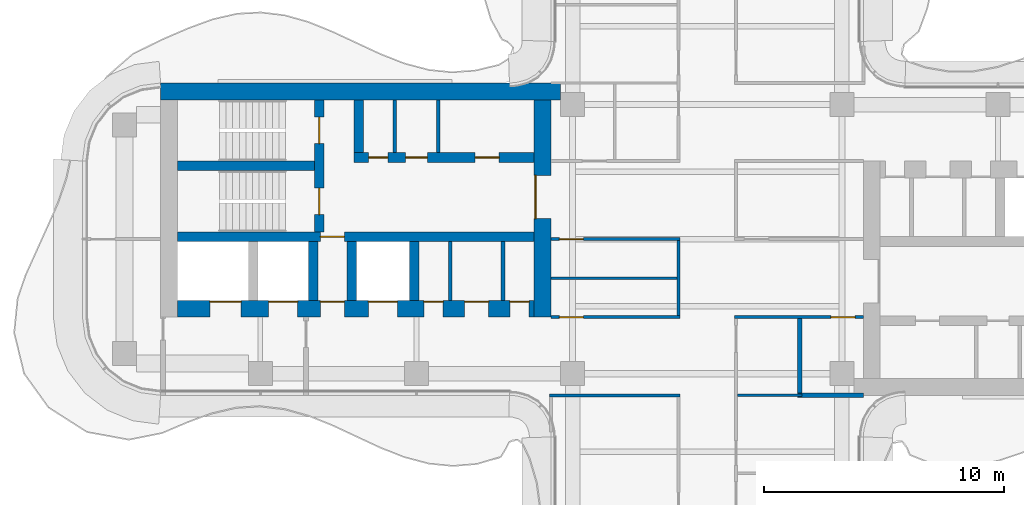
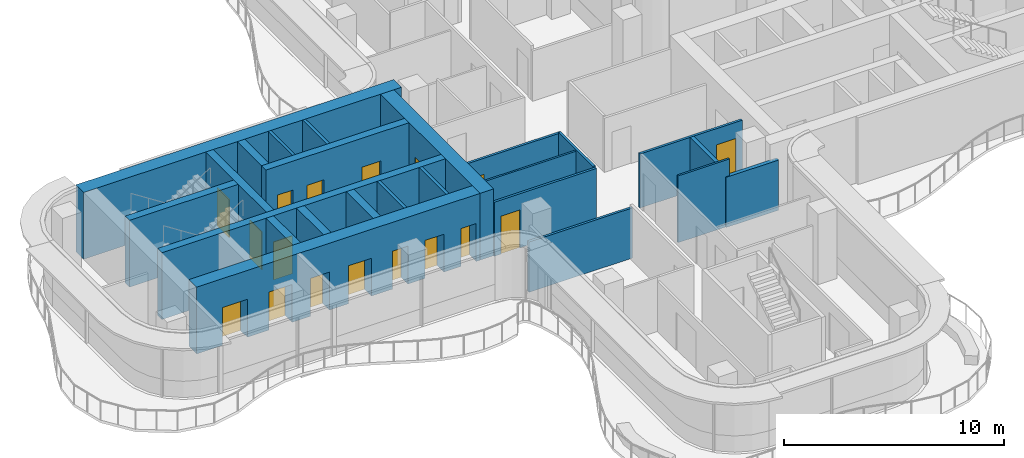
# One storey, part 12 of 17: 24 walls, 17 doors, 17 openings.
"""IFC4 building model written with IfcOpenShell, lengths in metres."""

import ifcopenshell
import ifcopenshell.guid

model = None  # the IFC model being written
_history = None  # IfcOwnerHistory: only IFC2X3 demands one
_inside = {}  # id of a spatial element -> (the spatial element, [elements in it])
_under = {}  # id of a project, library or spatial element -> (it, [spatial elements below it])
_declared = {}  # id of a project -> (the project, [libraries it declares])
_typed = {}  # id of a type object -> (the type object, [elements of that type])
_made_of = {}  # id of a material, layer set ... -> (it, [elements and type objects made of it])


def new_model(schema):
    """Start an empty IFC model of exactly this schema.

    Asked for "IFC4X3", IfcOpenShell would pick the latest addendum, in which some entities
    have other attributes; the version numbers below select the first issue.
    IFC2X3 requires an IfcOwnerHistory on every rooted entity: one is made here for all.
    """
    global model, _history
    if schema == "IFC4X3":
        model = ifcopenshell.file(schema_version=(4, 3, 0, 0))
    else:
        model = ifcopenshell.file(schema=schema)
    _inside.clear()
    _under.clear()
    _declared.clear()
    _typed.clear()
    _made_of.clear()
    _history = None
    if model.schema == "IFC2X3":
        org = make("IfcOrganization", Name="unknown")
        user = make(
            "IfcPersonAndOrganization",
            ThePerson=make("IfcPerson", FamilyName="unknown"),
            TheOrganization=org,
        )
        app = make(
            "IfcApplication",
            ApplicationDeveloper=org,
            Version="unknown",
            ApplicationFullName="unknown",
            ApplicationIdentifier="unknown",
        )
        _history = make(
            "IfcOwnerHistory",
            OwningUser=user,
            OwningApplication=app,
            ChangeAction="ADDED",
            CreationDate=0,
        )
    return model


def make(cls, **values):
    """One entity of the class cls with the attributes given. An attribute that is None is left unset."""
    return model.create_entity(
        cls, **{name: value for name, value in values.items() if value is not None}
    )


def rooted(cls, **values):
    """An entity with a GlobalId (a new one), such as an element, a storey or a relation."""
    return make(cls, GlobalId=ifcopenshell.guid.new(), OwnerHistory=_history, **values)


def si_unit(unit_type, name, prefix=None):
    """IfcSIUnit, for example si_unit("LENGTHUNIT", "METRE", prefix="MILLI")."""
    return make("IfcSIUnit", UnitType=unit_type, Prefix=prefix, Name=name)


def assignment(units):
    """IfcUnitAssignment: the units of a project."""
    return None if units is None else make("IfcUnitAssignment", Units=units)


def point(xyz):
    """IfcCartesianPoint."""
    return None if xyz is None else make("IfcCartesianPoint", Coordinates=xyz)


def direction(xyz):
    """IfcDirection."""
    return None if xyz is None else make("IfcDirection", DirectionRatios=xyz)


def frame(location, z_axis=None, x_axis=None):
    """IfcAxis2Placement3D, a coordinate frame: its origin and axes. An axis left out is left unset."""
    return make(
        "IfcAxis2Placement3D",
        Location=point(location),
        Axis=direction(z_axis),
        RefDirection=direction(x_axis),
    )


def frame_2d(location, x_axis=None):
    """IfcAxis2Placement2D, a coordinate frame in the plane: its origin and x axis."""
    return make(
        "IfcAxis2Placement2D", Location=point(location), RefDirection=direction(x_axis)
    )


def origin():
    """The frame at (0, 0, 0) with its axes left unset."""
    return frame((0.0, 0.0, 0.0))


def place(relative_to, where):
    """IfcLocalPlacement: puts the frame where relative to a parent placement (None: the world)."""
    return make(
        "IfcLocalPlacement", PlacementRelTo=relative_to, RelativePlacement=where
    )


def context(
    kind, dimensions, precision=None, world=None, true_north=None, identifier=None
):
    """IfcGeometricRepresentationContext, for example the 3D "Model" context."""
    return make(
        "IfcGeometricRepresentationContext",
        ContextIdentifier=identifier,
        ContextType=kind,
        CoordinateSpaceDimension=dimensions,
        Precision=precision,
        WorldCoordinateSystem=world,
        TrueNorth=true_north,
    )


def subcontext(parent, identifier, kind, view, scale=None):
    """IfcGeometricRepresentationSubContext, for example "Body" below "Model"."""
    return make(
        "IfcGeometricRepresentationSubContext",
        ContextIdentifier=identifier,
        ContextType=kind,
        ParentContext=parent,
        TargetScale=scale,
        TargetView=view,
    )


def project(units=None, contexts=None):
    """IfcProject with its units and contexts."""
    return rooted(
        "IfcProject",
        Name="project",
        RepresentationContexts=contexts,
        UnitsInContext=assignment(units),
    )


def spatial(cls, under=None, at=None, **own):
    """A site, building, storey or space (cls), placed at a placement, below another one or the project."""
    s = rooted(cls, ObjectPlacement=at, **own)
    if under is not None:
        _under.setdefault(under.id(), (under, []))[1].append(s)
    return s


def profile(cls, at=None, kind="AREA", **sizes):
    """A parametric profile (cls). Its sizes go by their IFC names, for example OverallWidth=200.0."""
    return make(cls, ProfileType=kind, Position=at, **sizes)


def rectangle(**sizes):
    """IfcRectangleProfileDef."""
    return profile("IfcRectangleProfileDef", **sizes)


def extrude(swept, where, along, depth):
    """IfcExtrudedAreaSolid: the profile swept, set in the frame where, extruded along a direction by depth."""
    return make(
        "IfcExtrudedAreaSolid",
        SweptArea=swept,
        Position=where,
        ExtrudedDirection=direction(along),
        Depth=depth,
    )


def shape(context_of_items, identifier, shape_type, items):
    """IfcShapeRepresentation: the items that make up one representation, for example the "Body"."""
    return make(
        "IfcShapeRepresentation",
        ContextOfItems=context_of_items,
        RepresentationIdentifier=identifier,
        RepresentationType=shape_type,
        Items=items,
    )


def source(mapping_origin, context_of_items, identifier, shape_type, items):
    """IfcRepresentationMap: a shape defined once, which mapped items show again and again."""
    return make(
        "IfcRepresentationMap",
        MappingOrigin=mapping_origin,
        MappedRepresentation=shape(context_of_items, identifier, shape_type, items),
    )


def transform(
    local_origin,
    x_axis=None,
    y_axis=None,
    z_axis=None,
    scale=None,
    scale2=None,
    scale3=None,
    uniform=True,
):
    """IfcCartesianTransformationOperator3D, or its non-uniform kind. x_axis, y_axis, z_axis: its Axis1, 2, 3."""
    if uniform:
        return make(
            "IfcCartesianTransformationOperator3D",
            Axis1=direction(x_axis),
            Axis2=direction(y_axis),
            LocalOrigin=point(local_origin),
            Scale=scale,
            Axis3=direction(z_axis),
        )
    return make(
        "IfcCartesianTransformationOperator3DnonUniform",
        Axis1=direction(x_axis),
        Axis2=direction(y_axis),
        LocalOrigin=point(local_origin),
        Scale=scale,
        Axis3=direction(z_axis),
        Scale2=scale2,
        Scale3=scale3,
    )


def mapped(mapping_source, mapping_target):
    """IfcMappedItem: shows the shape of a source again, moved by a transform."""
    return make(
        "IfcMappedItem", MappingSource=mapping_source, MappingTarget=mapping_target
    )


def material(Name=None, Category=None):
    """IfcMaterial."""
    return make("IfcMaterial", Name=Name, Category=Category)


def layer(
    of_material, thickness, ventilated=None, Name=None, Category=None, Priority=None
):
    """IfcMaterialLayer: one layer of a wall or slab, of a material (None: an air gap)."""
    return make(
        "IfcMaterialLayer",
        Material=of_material,
        LayerThickness=thickness,
        IsVentilated=ventilated,
        Name=Name,
        Category=Category,
        Priority=Priority,
    )


def layer_set(layers, Name=None):
    """IfcMaterialLayerSet."""
    return make("IfcMaterialLayerSet", MaterialLayers=layers, LayerSetName=Name)


def made_of(thing, what):
    """Note that an element or type object is made of a material, layer set ...; save() writes the relation."""
    if what is not None:
        _made_of.setdefault(what.id(), (what, []))[1].append(thing)
    return thing


def type_object(cls, material=None, **own):
    """A type object (cls), such as IfcWallType, which elements share."""
    return made_of(rooted(cls, **own), material)


def element(
    cls,
    number,
    at=None,
    inside=None,
    cuts=None,
    type_object=None,
    material=None,
    context=None,
    identifier="Body",
    shape_type=None,
    held_by="IfcProductDefinitionShape",
    body=None,
    shapes=None,
    **own,
):
    """One element of the class cls, such as IfcWall. Its Tag is "e" and its number.

    at: its placement. inside: the storey or other place that contains it. cuts: it is an
    opening in that element (IfcRelVoidsElement). A single representation is given by context,
    identifier, shape_type and body (its items); several are given by shapes. held_by: the class
    of the entity that holds the representations. save() writes the other relations.
    """
    e = rooted(cls, Tag="e%d" % number, ObjectPlacement=at, **own)
    if body is not None:
        shapes = [shape(context, identifier, shape_type, body)]
    if shapes is not None:
        e.Representation = make(held_by, Representations=shapes)
    if inside is not None:
        _inside.setdefault(inside.id(), (inside, []))[1].append(e)
    if cuts is not None:
        rooted(
            "IfcRelVoidsElement", RelatingBuildingElement=cuts, RelatedOpeningElement=e
        )
    if type_object is not None:
        _typed.setdefault(type_object.id(), (type_object, []))[1].append(e)
    return made_of(e, material)


def fill(opening, filler):
    """IfcRelFillsElement: the door or window that sits in an opening."""
    return rooted(
        "IfcRelFillsElement",
        RelatingOpeningElement=opening,
        RelatedBuildingElement=filler,
    )


def aggregate(whole, parts):
    """IfcRelAggregates: a whole, such as a stair, and the parts it consists of."""
    return rooted("IfcRelAggregates", RelatingObject=whole, RelatedObjects=parts)


def save(model, path):
    """Write the relations noted so far, then the file.

    IfcRelAggregates (storeys below a building ...), IfcRelContainedInSpatialStructure (elements
    in a storey), IfcRelDefinesByType, IfcRelAssociatesMaterial and IfcRelDeclares: one each for
    every whole, place, type object, material and project.
    """
    for whole, parts in _under.values():
        aggregate(whole, parts)
    for where, things in _inside.values():
        rooted(
            "IfcRelContainedInSpatialStructure",
            RelatedElements=things,
            RelatingStructure=where,
        )
    for kind, things in _typed.values():
        rooted("IfcRelDefinesByType", RelatedObjects=things, RelatingType=kind)
    for what, things in _made_of.values():
        rooted("IfcRelAssociatesMaterial", RelatedObjects=things, RelatingMaterial=what)
    for by, libraries in _declared.values():
        rooted("IfcRelDeclares", RelatingContext=by, RelatedDefinitions=libraries)
    model.write(path)


model = new_model("IFC4")

# Units and contexts
model_context = context("Model", 3, precision=1e-05, world=origin(), true_north=direction((0.0, 1.0)))
body_context = subcontext(model_context, "Body", "Model", "MODEL_VIEW")
ifc_project = project(units=[si_unit("LENGTHUNIT", "METRE"), si_unit("AREAUNIT", "SQUARE_METRE"), si_unit("VOLUMEUNIT", "CUBIC_METRE"), si_unit("PLANEANGLEUNIT", "RADIAN"), si_unit("MASSUNIT", "GRAM", prefix="KILO")], contexts=[model_context])

# Site, building, storey
site_placement = place(None, origin())
site = spatial("IfcSite", under=ifc_project, at=site_placement, CompositionType="ELEMENT")
building_placement = place(site_placement, origin())
building = spatial("IfcBuilding", under=site, at=building_placement, Name="Trellis Farm Tower", CompositionType="ELEMENT")
storey_placement = place(building_placement, frame((0.0, 0.0, 295.0)))
storey = spatial("IfcBuildingStorey", under=building, at=storey_placement, Name="L66", CompositionType="ELEMENT", Elevation=295.0)

# Wall, opening, door
ifc_material_1 = material(Name="Concrete C50/60", Category="concrete")
ifc_layer_1 = layer(ifc_material_1, 0.699951171875)
ifc_layer_set_1 = layer_set([ifc_layer_1], Name="CORE OUTER WALL 700 CONCRETE C50/60")
wall_type_1 = type_object("IfcWallType", Name="CORE OUTER WALL 700 CONCRETE C50/60", PredefinedType="SHEAR", material=ifc_layer_set_1)
shared_shape_1 = source(origin(), body_context, "Body", "SweptSolid", [
    extrude(rectangle(XDim=9.050048828125, YDim=0.699951171875, at=frame_2d((4.52490234375, 0.0))), origin(), (0.0, 0.0, 1.0), 3.699951171875),
])
wall_1_placement = place(storey_placement, frame((-6.85009765625, 5.800048828125, 0.0), z_axis=(0.0, 0.0, 1.0), x_axis=(0.0, -1.0, 0.0)))
wall_1 = element("IfcWall", 1, at=wall_1_placement, inside=storey, type_object=wall_type_1, Name="Core wall", PredefinedType="SHEAR", context=body_context, shape_type="MappedRepresentation", body=[
    mapped(shared_shape_1, transform((0.0, 0.0, 0.0))),
])
shared_shape_2 = source(origin(), body_context, "Body", "SweptSolid", [
    extrude(rectangle(XDim=1.800048828125, YDim=2.10009765625, at=frame_2d((0.89990234375, 1.050048828125))), frame((0.0, 0.360107421875, 0.0), z_axis=(0.0, -1.0, 0.0), x_axis=(1.0, 0.0, 0.0)), (0.0, 0.0, 1.0), 0.72021484375),
])
opening_1_placement = place(wall_1_placement, frame((3.14990234375, 0.0, 0.0)))
opening_1 = element("IfcOpeningElement", 2, at=opening_1_placement, cuts=wall_1, Name="Opening DC87", PredefinedType="OPENING", context=body_context, shape_type="MappedRepresentation", body=[
    mapped(shared_shape_2, transform((0.0, 0.0, 0.0))),
])
ifc_material_2 = material(Name="Steel", Category="steel")
door_type_1 = type_object("IfcDoorType", Name="CORE FIRE DOOR DOUBLE 1800 X 2100", OperationType="DOUBLE_DOOR_SINGLE_SWING", PredefinedType="DOOR", material=ifc_material_2)
shared_shape_3 = source(origin(), body_context, "Body", "SweptSolid", [
    extrude(rectangle(XDim=1.800048828125, YDim=2.10009765625, at=frame_2d((0.89990234375, 1.050048828125))), frame((0.0, -0.27490234375, 0.0), z_axis=(0.0, -1.0, 0.0), x_axis=(1.0, 0.0, 0.0)), (0.0, 0.0, 1.0), 0.050048828125),
])
door_1_placement = place(opening_1_placement, origin())
door_1 = element("IfcDoor", 3, at=door_1_placement, inside=storey, type_object=door_type_1, Name="Core door", OperationType="DOUBLE_DOOR_SINGLE_SWING", OverallHeight=2.10009765625, OverallWidth=1.800048828125, PredefinedType="DOOR", context=body_context, shape_type="MappedRepresentation", body=[
    mapped(shared_shape_3, transform((0.0, 0.0, 0.0))),
])
fill(opening_1, door_1)

# Walls
ifc_layer_2 = layer(ifc_material_1, 0.39990234375)
ifc_layer_set_2 = layer_set([ifc_layer_2], Name="CORE INNER WALL 400 CONCRETE C50/60")
wall_type_2 = type_object("IfcWallType", Name="CORE INNER WALL 400 CONCRETE C50/60", PredefinedType="SHEAR", material=ifc_layer_set_2)
shared_shape_4 = source(origin(), body_context, "Body", "SweptSolid", [
    extrude(rectangle(XDim=2.449951171875, YDim=0.39990234375, at=frame_2d((1.22509765625, 0.0))), origin(), (0.0, 0.0, 1.0), 3.699951171875),
])
for number, where, z_axis, x_axis, name in (
    (4, (-12.199951171875, -0.10009765625, 0.0), (0.0, 0.0, 1.0), (0.0, -1.0, 0.0), "Core wall"),
    (5, (-14.800048828125, -0.10009765625, 0.0), (0.0, 0.0, 1.0), (0.0, -1.0, 0.0), "Core wall"),
    (6, (-16.39990234375, -0.10009765625, 0.0), (0.0, 0.0, 1.0), (0.0, -1.0, 0.0), "Core wall"),
):
    element("IfcWall", number, at=place(storey_placement, frame(where, z_axis=z_axis, x_axis=x_axis)), inside=storey, type_object=wall_type_2, Name=name, PredefinedType="SHEAR", context=body_context, shape_type="MappedRepresentation", body=[
        mapped(shared_shape_4, transform((0.0, 0.0, 0.0))),
    ])

# Wall, openings, doors
shared_shape_5 = source(origin(), body_context, "Body", "SweptSolid", [
    extrude(rectangle(XDim=14.85009765625, YDim=0.699951171875, at=frame_2d((7.425048828125, 0.0))), origin(), (0.0, 0.0, 1.0), 3.699951171875),
])
wall_2_placement = place(storey_placement, frame((-7.199951171875, -2.89990234375, 0.0), z_axis=(0.0, 0.0, 1.0), x_axis=(-1.0, 0.0, 0.0)))
wall_2 = element("IfcWall", 7, at=wall_2_placement, inside=storey, type_object=wall_type_1, Name="Core wall", PredefinedType="SHEAR", context=body_context, shape_type="MappedRepresentation", body=[
    mapped(shared_shape_5, transform((0.0, 0.0, 0.0))),
])
shared_shape_6 = source(origin(), body_context, "Body", "SweptSolid", [
    extrude(rectangle(XDim=1.199951171875, YDim=2.10009765625, at=frame_2d((0.60009765625, 1.050048828125))), frame((0.0, 0.360107421875, 0.0), z_axis=(0.0, -1.0, 0.0), x_axis=(1.0, 0.0, 0.0)), (0.0, 0.0, 1.0), 0.72021484375),
])
opening_2_placement = place(wall_2_placement, frame((5.699951171875, 0.0, 0.0)))
opening_2 = element("IfcOpeningElement", 8, at=opening_2_placement, cuts=wall_2, Name="Opening LD14", PredefinedType="OPENING", context=body_context, shape_type="MappedRepresentation", body=[
    mapped(shared_shape_6, transform((0.0, 0.0, 0.0))),
])
shared_shape_7 = source(origin(), body_context, "Body", "SweptSolid", [
    extrude(rectangle(XDim=1.300048828125, YDim=2.10009765625, at=frame_2d((0.64990234375, 1.050048828125))), frame((0.0, 0.360107421875, 0.0), z_axis=(0.0, -1.0, 0.0), x_axis=(1.0, 0.0, 0.0)), (0.0, 0.0, 1.0), 0.72021484375),
])
opening_3_placement = place(wall_2_placement, frame((12.199951171875, 0.0, 0.0)))
opening_3 = element("IfcOpeningElement", 9, at=opening_3_placement, cuts=wall_2, Name="Opening LD15", PredefinedType="OPENING", context=body_context, shape_type="MappedRepresentation", body=[
    mapped(shared_shape_7, transform((0.0, 0.0, 0.0))),
])
opening_4_placement = place(wall_2_placement, frame((9.85009765625, 0.0, 0.0)))
opening_4 = element("IfcOpeningElement", 10, at=opening_4_placement, cuts=wall_2, Name="Opening LD16", PredefinedType="OPENING", context=body_context, shape_type="MappedRepresentation", body=[
    mapped(shared_shape_6, transform((0.0, 0.0, 0.0))),
])
shared_shape_8 = source(origin(), body_context, "Body", "SweptSolid", [
    extrude(rectangle(XDim=1.0, YDim=2.10009765625, at=frame_2d((0.5, 1.050048828125))), frame((0.0, 0.360107421875, 0.0), z_axis=(0.0, -1.0, 0.0), x_axis=(1.0, 0.0, 0.0)), (0.0, 0.0, 1.0), 0.72021484375),
])
opening_5_placement = place(wall_2_placement, frame((7.89990234375, 0.0, 0.0)))
opening_5 = element("IfcOpeningElement", 11, at=opening_5_placement, cuts=wall_2, Name="Opening DC92", PredefinedType="OPENING", context=body_context, shape_type="MappedRepresentation", body=[
    mapped(shared_shape_8, transform((0.0, 0.0, 0.0))),
])
shared_shape_9 = source(origin(), body_context, "Body", "SweptSolid", [
    extrude(rectangle(XDim=0.800048828125, YDim=2.10009765625, at=frame_2d((0.39990234375, 1.050048828125))), frame((0.0, 0.360107421875, 0.0), z_axis=(0.0, -1.0, 0.0), x_axis=(1.0, 0.0, 0.0)), (0.0, 0.0, 1.0), 0.72021484375),
])
opening_6_placement = place(wall_2_placement, frame((0.21240234375, 0.0, 0.0)))
opening_6 = element("IfcOpeningElement", 12, at=opening_6_placement, cuts=wall_2, Name="Opening DC96", PredefinedType="OPENING", context=body_context, shape_type="MappedRepresentation", body=[
    mapped(shared_shape_9, transform((0.0, 0.0, 0.0))),
])
opening_7_placement = place(wall_2_placement, frame((1.89990234375, 0.0, 0.0)))
opening_7 = element("IfcOpeningElement", 13, at=opening_7_placement, cuts=wall_2, Name="Opening DC105", PredefinedType="OPENING", context=body_context, shape_type="MappedRepresentation", body=[
    mapped(shared_shape_8, transform((0.0, 0.0, 0.0))),
])
opening_8_placement = place(wall_2_placement, frame((3.78759765625, 0.0, 0.0)))
opening_8 = element("IfcOpeningElement", 14, at=opening_8_placement, cuts=wall_2, Name="Opening DC108", PredefinedType="OPENING", context=body_context, shape_type="MappedRepresentation", body=[
    mapped(shared_shape_9, transform((0.0, 0.0, 0.0))),
])
door_type_2 = type_object("IfcDoorType", Name="CORE FIRE DOOR 1000 X 2100", OperationType="NOTDEFINED", PredefinedType="DOOR", material=ifc_material_2)
shared_shape_10 = source(origin(), body_context, "Body", "SweptSolid", [
    extrude(rectangle(XDim=1.0, YDim=2.10009765625, at=frame_2d((0.5, 1.050048828125))), frame((0.0, -0.27490234375, 0.0), z_axis=(0.0, -1.0, 0.0), x_axis=(1.0, 0.0, 0.0)), (0.0, 0.0, 1.0), 0.050048828125),
])
door_2_placement = place(opening_5_placement, origin())
door_2 = element("IfcDoor", 15, at=door_2_placement, inside=storey, type_object=door_type_2, Name="Core door", OperationType="SINGLE_SWING_LEFT", OverallHeight=2.10009765625, OverallWidth=1.0, PredefinedType="DOOR", context=body_context, shape_type="MappedRepresentation", body=[
    mapped(shared_shape_10, transform((0.0, 0.0, 0.0))),
])
fill(opening_5, door_2)
door_3_placement = place(opening_7_placement, origin())
door_3 = element("IfcDoor", 16, at=door_3_placement, inside=storey, type_object=door_type_2, Name="Core door", OperationType="SINGLE_SWING_LEFT", OverallHeight=2.10009765625, OverallWidth=1.0, PredefinedType="DOOR", context=body_context, shape_type="MappedRepresentation", body=[
    mapped(shared_shape_10, transform((0.0, 0.0, 0.0))),
])
fill(opening_7, door_3)
ifc_material_3 = material(Name="Stainless steel", Category="steel")
door_type_3 = type_object("IfcDoorType", Name="LIFT LANDING DOOR 1300 X 2100", OperationType="DOUBLE_DOOR_SLIDING", PredefinedType="DOOR", material=ifc_material_3)
shared_shape_11 = source(origin(), body_context, "Body", "SweptSolid", [
    extrude(rectangle(XDim=1.300048828125, YDim=2.10009765625, at=frame_2d((0.64990234375, 1.050048828125))), frame((0.0, -0.27490234375, 0.0), z_axis=(0.0, -1.0, 0.0), x_axis=(1.0, 0.0, 0.0)), (0.0, 0.0, 1.0), 0.050048828125),
])
door_4_placement = place(opening_3_placement, origin())
door_4 = element("IfcDoor", 17, at=door_4_placement, inside=storey, type_object=door_type_3, Name="Lift landing door", OperationType="DOUBLE_DOOR_SLIDING", OverallHeight=2.10009765625, OverallWidth=1.300048828125, PredefinedType="DOOR", context=body_context, shape_type="MappedRepresentation", body=[
    mapped(shared_shape_11, transform((0.0, 0.0, 0.0))),
])
fill(opening_3, door_4)
door_type_4 = type_object("IfcDoorType", Name="LIFT LANDING DOOR 1200 X 2100", OperationType="DOUBLE_DOOR_SLIDING", PredefinedType="DOOR", material=ifc_material_3)
shared_shape_12 = source(origin(), body_context, "Body", "SweptSolid", [
    extrude(rectangle(XDim=1.199951171875, YDim=2.10009765625, at=frame_2d((0.60009765625, 1.050048828125))), frame((0.0, -0.27490234375, 0.0), z_axis=(0.0, -1.0, 0.0), x_axis=(1.0, 0.0, 0.0)), (0.0, 0.0, 1.0), 0.050048828125),
])
door_5_placement = place(opening_2_placement, origin())
door_5 = element("IfcDoor", 18, at=door_5_placement, inside=storey, type_object=door_type_4, Name="Lift landing door", OperationType="DOUBLE_DOOR_SLIDING", OverallHeight=2.10009765625, OverallWidth=1.199951171875, PredefinedType="DOOR", context=body_context, shape_type="MappedRepresentation", body=[
    mapped(shared_shape_12, transform((0.0, 0.0, 0.0))),
])
fill(opening_2, door_5)
door_6_placement = place(opening_4_placement, origin())
door_6 = element("IfcDoor", 19, at=door_6_placement, inside=storey, type_object=door_type_4, Name="Lift landing door", OperationType="DOUBLE_DOOR_SLIDING", OverallHeight=2.10009765625, OverallWidth=1.199951171875, PredefinedType="DOOR", context=body_context, shape_type="MappedRepresentation", body=[
    mapped(shared_shape_12, transform((0.0, 0.0, 0.0))),
])
fill(opening_4, door_6)
door_type_5 = type_object("IfcDoorType", Name="CORE FIRE DOOR 800 X 2100", OperationType="NOTDEFINED", PredefinedType="DOOR", material=ifc_material_2)
shared_shape_13 = source(origin(), body_context, "Body", "SweptSolid", [
    extrude(rectangle(XDim=0.800048828125, YDim=2.10009765625, at=frame_2d((0.39990234375, 1.050048828125))), frame((0.0, -0.27490234375, 0.0), z_axis=(0.0, -1.0, 0.0), x_axis=(1.0, 0.0, 0.0)), (0.0, 0.0, 1.0), 0.050048828125),
])
door_7_placement = place(opening_6_placement, origin())
door_7 = element("IfcDoor", 20, at=door_7_placement, inside=storey, type_object=door_type_5, Name="Core door", OperationType="SINGLE_SWING_RIGHT", OverallHeight=2.10009765625, OverallWidth=0.800048828125, PredefinedType="DOOR", context=body_context, shape_type="MappedRepresentation", body=[
    mapped(shared_shape_13, transform((0.0, 0.0, 0.0))),
])
fill(opening_6, door_7)
door_8_placement = place(opening_8_placement, origin())
door_8 = element("IfcDoor", 21, at=door_8_placement, inside=storey, type_object=door_type_5, Name="Core door", OperationType="SINGLE_SWING_RIGHT", OverallHeight=2.10009765625, OverallWidth=0.800048828125, PredefinedType="DOOR", context=body_context, shape_type="MappedRepresentation", body=[
    mapped(shared_shape_13, transform((0.0, 0.0, 0.0))),
])
fill(opening_8, door_8)

shared_shape_14 = source(origin(), body_context, "Body", "SweptSolid", [
    extrude(rectangle(XDim=7.5, YDim=0.39990234375, at=frame_2d((3.75, 0.0))), origin(), (0.0, 0.0, 1.0), 3.699951171875),
])
wall_3_placement = place(storey_placement, frame((-7.199951171875, 3.39990234375, 0.0), z_axis=(0.0, 0.0, 1.0), x_axis=(-1.0, 0.0, 0.0)))
wall_3 = element("IfcWall", 22, at=wall_3_placement, inside=storey, type_object=wall_type_2, Name="Core wall", PredefinedType="SHEAR", context=body_context, shape_type="MappedRepresentation", body=[
    mapped(shared_shape_14, transform((0.0, 0.0, 0.0))),
])
shared_shape_15 = source(origin(), body_context, "Body", "SweptSolid", [
    extrude(rectangle(XDim=1.0, YDim=2.10009765625, at=frame_2d((0.5, 1.050048828125))), frame((0.0, 0.2099609375, 0.0), z_axis=(0.0, -1.0, 0.0), x_axis=(1.0, 0.0, 0.0)), (0.0, 0.0, 1.0), 0.419921875),
])
opening_9_placement = place(wall_3_placement, frame((1.46240234375, 0.0, 0.0)))
opening_9 = element("IfcOpeningElement", 23, at=opening_9_placement, cuts=wall_3, Name="Opening DC141", PredefinedType="OPENING", context=body_context, shape_type="MappedRepresentation", body=[
    mapped(shared_shape_15, transform((0.0, 0.0, 0.0))),
])
shared_shape_16 = source(origin(), body_context, "Body", "SweptSolid", [
    extrude(rectangle(XDim=0.89990234375, YDim=2.10009765625, at=frame_2d((0.449951171875, 1.050048828125))), frame((0.0, 0.2099609375, 0.0), z_axis=(0.0, -1.0, 0.0), x_axis=(1.0, 0.0, 0.0)), (0.0, 0.0, 1.0), 0.419921875),
])
opening_10_placement = place(wall_3_placement, frame((4.449951171875, 0.0, 0.0)))
opening_10 = element("IfcOpeningElement", 24, at=opening_10_placement, cuts=wall_3, Name="Opening DC146", PredefinedType="OPENING", context=body_context, shape_type="MappedRepresentation", body=[
    mapped(shared_shape_16, transform((0.0, 0.0, 0.0))),
])
shared_shape_17 = source(origin(), body_context, "Body", "SweptSolid", [
    extrude(rectangle(XDim=0.800048828125, YDim=2.10009765625, at=frame_2d((0.39990234375, 1.050048828125))), frame((0.0, 0.2099609375, 0.0), z_axis=(0.0, -1.0, 0.0), x_axis=(1.0, 0.0, 0.0)), (0.0, 0.0, 1.0), 0.419921875),
])
opening_11_placement = place(wall_3_placement, frame((6.08740234375, 0.0, 0.0)))
opening_11 = element("IfcOpeningElement", 25, at=opening_11_placement, cuts=wall_3, Name="Opening DC149", PredefinedType="OPENING", context=body_context, shape_type="MappedRepresentation", body=[
    mapped(shared_shape_17, transform((0.0, 0.0, 0.0))),
])
shared_shape_18 = source(origin(), body_context, "Body", "SweptSolid", [
    extrude(rectangle(XDim=1.0, YDim=2.10009765625, at=frame_2d((0.5, 1.050048828125))), frame((0.0, 0.02490234375, 0.0), z_axis=(0.0, -1.0, 0.0), x_axis=(1.0, 0.0, 0.0)), (0.0, 0.0, 1.0), 0.050048828125),
])
door_9_placement = place(opening_9_placement, origin())
door_9 = element("IfcDoor", 26, at=door_9_placement, inside=storey, type_object=door_type_2, Name="Core door", OperationType="SINGLE_SWING_LEFT", OverallHeight=2.10009765625, OverallWidth=1.0, PredefinedType="DOOR", context=body_context, shape_type="MappedRepresentation", body=[
    mapped(shared_shape_18, transform((0.0, 0.0, 0.0))),
])
fill(opening_9, door_9)
door_type_6 = type_object("IfcDoorType", Name="CORE FIRE DOOR 900 X 2100", OperationType="NOTDEFINED", PredefinedType="DOOR", material=ifc_material_2)
shared_shape_19 = source(origin(), body_context, "Body", "SweptSolid", [
    extrude(rectangle(XDim=0.89990234375, YDim=2.10009765625, at=frame_2d((0.449951171875, 1.050048828125))), frame((0.0, 0.02490234375, 0.0), z_axis=(0.0, -1.0, 0.0), x_axis=(1.0, 0.0, 0.0)), (0.0, 0.0, 1.0), 0.050048828125),
])
door_10_placement = place(opening_10_placement, origin())
door_10 = element("IfcDoor", 27, at=door_10_placement, inside=storey, type_object=door_type_6, Name="Core door", OperationType="SINGLE_SWING_RIGHT", OverallHeight=2.10009765625, OverallWidth=0.89990234375, PredefinedType="DOOR", context=body_context, shape_type="MappedRepresentation", body=[
    mapped(shared_shape_19, transform((0.0, 0.0, 0.0))),
])
fill(opening_10, door_10)
shared_shape_20 = source(origin(), body_context, "Body", "SweptSolid", [
    extrude(rectangle(XDim=0.800048828125, YDim=2.10009765625, at=frame_2d((0.39990234375, 1.050048828125))), frame((0.0, 0.02490234375, 0.0), z_axis=(0.0, -1.0, 0.0), x_axis=(1.0, 0.0, 0.0)), (0.0, 0.0, 1.0), 0.050048828125),
])
door_11_placement = place(opening_11_placement, origin())
door_11 = element("IfcDoor", 28, at=door_11_placement, inside=storey, type_object=door_type_5, Name="Core door", OperationType="SINGLE_SWING_LEFT", OverallHeight=2.10009765625, OverallWidth=0.800048828125, PredefinedType="DOOR", context=body_context, shape_type="MappedRepresentation", body=[
    mapped(shared_shape_20, transform((0.0, 0.0, 0.0))),
])
fill(opening_11, door_11)

# Wall, opening, door
shared_shape_21 = source(origin(), body_context, "Body", "SweptSolid", [
    extrude(rectangle(XDim=14.85009765625, YDim=0.39990234375, at=frame_2d((7.425048828125, 0.0))), origin(), (0.0, 0.0, 1.0), 3.699951171875),
])
wall_4_placement = place(storey_placement, frame((-7.199951171875, 0.10009765625, 0.0), z_axis=(0.0, 0.0, 1.0), x_axis=(-1.0, 0.0, 0.0)))
wall_4 = element("IfcWall", 29, at=wall_4_placement, inside=storey, type_object=wall_type_2, Name="Core wall", PredefinedType="SHEAR", context=body_context, shape_type="MappedRepresentation", body=[
    mapped(shared_shape_21, transform((0.0, 0.0, 0.0))),
])
opening_12_placement = place(wall_4_placement, frame((7.89990234375, 0.0, 0.0)))
opening_12 = element("IfcOpeningElement", 30, at=opening_12_placement, cuts=wall_4, Name="Opening DC91", PredefinedType="OPENING", context=body_context, shape_type="MappedRepresentation", body=[
    mapped(shared_shape_15, transform((0.0, 0.0, 0.0))),
])
door_12_placement = place(opening_12_placement, origin())
door_12 = element("IfcDoor", 31, at=door_12_placement, inside=storey, type_object=door_type_2, Name="Core door", OperationType="SINGLE_SWING_RIGHT", OverallHeight=2.10009765625, OverallWidth=1.0, PredefinedType="DOOR", context=body_context, shape_type="MappedRepresentation", body=[
    mapped(shared_shape_18, transform((0.0, 0.0, 0.0))),
])
fill(opening_12, door_12)

# Wall, openings, doors
shared_shape_22 = source(origin(), body_context, "Body", "SweptSolid", [
    extrude(rectangle(XDim=5.5, YDim=0.39990234375, at=frame_2d((2.75, 0.0))), origin(), (0.0, 0.0, 1.0), 3.699951171875),
])
wall_5_placement = place(storey_placement, frame((-16.14990234375, 5.800048828125, 0.0), z_axis=(0.0, 0.0, 1.0), x_axis=(0.0, -1.0, 0.0)))
wall_5 = element("IfcWall", 32, at=wall_5_placement, inside=storey, type_object=wall_type_2, Name="Core wall", PredefinedType="SHEAR", context=body_context, shape_type="MappedRepresentation", body=[
    mapped(shared_shape_22, transform((0.0, 0.0, 0.0))),
])
shared_shape_23 = source(origin(), body_context, "Body", "SweptSolid", [
    extrude(rectangle(XDim=1.10009765625, YDim=2.10009765625, at=frame_2d((0.550048828125, 1.050048828125))), frame((0.0, 0.2099609375, 0.0), z_axis=(0.0, -1.0, 0.0), x_axis=(1.0, 0.0, 0.0)), (0.0, 0.0, 1.0), 0.419921875),
])
opening_13_placement = place(wall_5_placement, frame((0.72509765625, 0.0, 0.0)))
opening_13 = element("IfcOpeningElement", 33, at=opening_13_placement, cuts=wall_5, Name="Opening DC88", PredefinedType="OPENING", context=body_context, shape_type="MappedRepresentation", body=[
    mapped(shared_shape_23, transform((0.0, 0.0, 0.0))),
])
opening_14_placement = place(wall_5_placement, frame((3.675048828125, 0.0, 0.0)))
opening_14 = element("IfcOpeningElement", 34, at=opening_14_placement, cuts=wall_5, Name="Opening DC89", PredefinedType="OPENING", context=body_context, shape_type="MappedRepresentation", body=[
    mapped(shared_shape_23, transform((0.0, 0.0, 0.0))),
])
door_type_7 = type_object("IfcDoorType", Name="CORE FIRE DOOR 1100 X 2100", OperationType="NOTDEFINED", PredefinedType="DOOR", material=ifc_material_2)
shared_shape_24 = source(origin(), body_context, "Body", "SweptSolid", [
    extrude(rectangle(XDim=1.10009765625, YDim=2.10009765625, at=frame_2d((0.550048828125, 1.050048828125))), frame((0.0, 0.02490234375, 0.0), z_axis=(0.0, -1.0, 0.0), x_axis=(1.0, 0.0, 0.0)), (0.0, 0.0, 1.0), 0.050048828125),
])
door_13_placement = place(opening_13_placement, origin())
door_13 = element("IfcDoor", 35, at=door_13_placement, inside=storey, type_object=door_type_7, Name="Core door", OperationType="SINGLE_SWING_RIGHT", OverallHeight=2.10009765625, OverallWidth=1.10009765625, PredefinedType="DOOR", context=body_context, shape_type="MappedRepresentation", body=[
    mapped(shared_shape_24, transform((0.0, 0.0, 0.0))),
])
fill(opening_13, door_13)
door_14_placement = place(opening_14_placement, origin())
door_14 = element("IfcDoor", 36, at=door_14_placement, inside=storey, type_object=door_type_7, Name="Core door", OperationType="SINGLE_SWING_LEFT", OverallHeight=2.10009765625, OverallWidth=1.10009765625, PredefinedType="DOOR", context=body_context, shape_type="MappedRepresentation", body=[
    mapped(shared_shape_24, transform((0.0, 0.0, 0.0))),
])
fill(opening_14, door_14)

# Walls
shared_shape_25 = source(origin(), body_context, "Body", "SweptSolid", [
    extrude(rectangle(XDim=5.699951171875, YDim=0.39990234375, at=frame_2d((2.85009765625, 0.0))), origin(), (0.0, 0.0, 1.0), 3.699951171875),
])
wall_6_placement = place(storey_placement, frame((-16.35009765625, 3.050048828125, 0.0), z_axis=(0.0, 0.0, 1.0), x_axis=(-1.0, 0.0, 0.0)))
element("IfcWall", 37, at=wall_6_placement, inside=storey, type_object=wall_type_2, Name="Core wall", PredefinedType="SHEAR", context=body_context, shape_type="MappedRepresentation", body=[
    mapped(shared_shape_25, transform((0.0, 0.0, 0.0))),
])
shared_shape_26 = source(origin(), body_context, "Body", "SweptSolid", [
    extrude(rectangle(XDim=2.199951171875, YDim=0.39990234375, at=frame_2d((1.10009765625, 0.0))), origin(), (0.0, 0.0, 1.0), 3.699951171875),
])
wall_7_placement = place(storey_placement, frame((-14.5, 5.800048828125, 0.0), z_axis=(0.0, 0.0, 1.0), x_axis=(0.0, -1.0, 0.0)))
element("IfcWall", 38, at=wall_7_placement, inside=storey, type_object=wall_type_2, Name="Core wall", PredefinedType="SHEAR", context=body_context, shape_type="MappedRepresentation", body=[
    mapped(shared_shape_26, transform((0.0, 0.0, 0.0))),
])
ifc_material_4 = material(Name="Masonry blockwork", Category="masonry")
ifc_layer_3 = layer(ifc_material_4, 0.14990234375)
ifc_layer_set_3 = layer_set([ifc_layer_3], Name="CORE PARTITION 150 BLOCKWORK")
wall_type_3 = type_object("IfcWallType", Name="CORE PARTITION 150 BLOCKWORK", PredefinedType="PARTITIONING", material=ifc_layer_set_3)
shared_shape_27 = source(origin(), body_context, "Body", "SweptSolid", [
    extrude(rectangle(XDim=2.199951171875, YDim=0.14990234375, at=frame_2d((1.10009765625, 0.0))), origin(), (0.0, 0.0, 1.0), 3.699951171875),
])
for number, where, z_axis, x_axis, name in (
    (39, (-11.199951171875, 5.800048828125, 0.0), (0.0, 0.0, 1.0), (0.0, -1.0, 0.0), "Core room partition"),
    (40, (-13.0, 5.800048828125, 0.0), (0.0, 0.0, 1.0), (0.0, -1.0, 0.0), "Core room partition"),
):
    element("IfcWall", number, at=place(storey_placement, frame(where, z_axis=z_axis, x_axis=x_axis)), inside=storey, type_object=wall_type_3, Name=name, PredefinedType="PARTITIONING", context=body_context, shape_type="MappedRepresentation", body=[
        mapped(shared_shape_27, transform((0.0, 0.0, 0.0))),
    ])
shared_shape_28 = source(origin(), body_context, "Body", "SweptSolid", [
    extrude(rectangle(XDim=16.64990234375, YDim=0.699951171875, at=frame_2d((8.324951171875, 0.0))), origin(), (0.0, 0.0, 1.0), 3.699951171875),
])
wall_8_placement = place(storey_placement, frame((-6.10009765625, 6.14990234375, 0.0), z_axis=(0.0, 0.0, 1.0), x_axis=(-1.0, 0.0, 0.0)))
element("IfcWall", 41, at=wall_8_placement, inside=storey, type_object=wall_type_1, Name="Core wall", PredefinedType="SHEAR", context=body_context, shape_type="MappedRepresentation", body=[
    mapped(shared_shape_28, transform((0.0, 0.0, 0.0))),
])
shared_shape_29 = source(origin(), body_context, "Body", "SweptSolid", [
    extrude(rectangle(XDim=2.449951171875, YDim=0.14990234375, at=frame_2d((1.22509765625, 0.0))), origin(), (0.0, 0.0, 1.0), 3.699951171875),
])
for number, where, z_axis, x_axis, name in (
    (42, (-8.5, -0.10009765625, 0.0), (0.0, 0.0, 1.0), (0.0, -1.0, 0.0), "Core room partition"),
    (43, (-10.699951171875, -0.10009765625, 0.0), (0.0, 0.0, 1.0), (0.0, -1.0, 0.0), "Core room partition"),
):
    element("IfcWall", number, at=place(storey_placement, frame(where, z_axis=z_axis, x_axis=x_axis)), inside=storey, type_object=wall_type_3, Name=name, PredefinedType="PARTITIONING", context=body_context, shape_type="MappedRepresentation", body=[
        mapped(shared_shape_29, transform((0.0, 0.0, 0.0))),
    ])
ifc_material_5 = material(Name="Plasterboard on steel studs, mineral wool", Category="steel")
ifc_layer_4 = layer(ifc_material_5, 0.125)
ifc_layer_set_4 = layer_set([ifc_layer_4], Name="PARTITION 125 STUD EI 60")
wall_type_4 = type_object("IfcWallType", Name="PARTITION 125 STUD EI 60", PredefinedType="PARTITIONING", material=ifc_layer_set_4)
shared_shape_30 = source(origin(), body_context, "Body", "SweptSolid", [
    extrude(rectangle(XDim=3.125, YDim=0.125, at=frame_2d((1.5625, 0.0))), origin(), (0.0, 0.0, 1.0), 3.06787109375),
])
wall_9_placement = place(storey_placement, frame((-1.199951171875, -0.0625, 0.0), z_axis=(0.0, 0.0, 1.0), x_axis=(0.0, -1.0, 0.0)))
element("IfcWall", 44, at=wall_9_placement, inside=storey, type_object=wall_type_4, Name="Partition PW1", PredefinedType="PARTITIONING", context=body_context, shape_type="MappedRepresentation", body=[
    mapped(shared_shape_30, transform((0.0, 0.0, 0.0))),
])

# Wall, opening, door
shared_shape_31 = source(origin(), body_context, "Body", "SweptSolid", [
    extrude(rectangle(XDim=5.362548828125, YDim=0.125, at=frame_2d((2.68115234375, 0.0))), origin(), (0.0, 0.0, 1.0), 2.99658203125),
])
wall_10_placement = place(storey_placement, frame((-1.137451171875, -3.25, 0.0), z_axis=(0.0, 0.0, 1.0), x_axis=(-1.0, 0.0, 0.0)))
wall_10 = element("IfcWall", 45, at=wall_10_placement, inside=storey, type_object=wall_type_4, Name="Partition PW1", PredefinedType="PARTITIONING", context=body_context, shape_type="MappedRepresentation", body=[
    mapped(shared_shape_31, transform((0.0, 0.0, 0.0))),
])
shared_shape_32 = source(origin(), body_context, "Body", "SweptSolid", [
    extrude(rectangle(XDim=1.0, YDim=2.10009765625, at=frame_2d((0.5, 1.050048828125))), frame((0.0, 0.072509765625, 0.0), z_axis=(0.0, -1.0, 0.0), x_axis=(1.0, 0.0, 0.0)), (0.0, 0.0, 1.0), 0.14501953125),
])
opening_15_placement = place(wall_10_placement, frame((4.012451171875, 0.0, 0.0)))
opening_15 = element("IfcOpeningElement", 46, at=opening_15_placement, cuts=wall_10, Name="Opening D103", PredefinedType="OPENING", context=body_context, shape_type="MappedRepresentation", body=[
    mapped(shared_shape_32, transform((0.0, 0.0, 0.0))),
])
ifc_material_6 = material(Name="Fire-rated timber door leaf in a hollow metal frame", Category="wood")
door_type_8 = type_object("IfcDoorType", Name="DOOR 1000x2100 FD30S", OperationType="NOTDEFINED", PredefinedType="DOOR", material=ifc_material_6)
door_15_placement = place(opening_15_placement, origin())
door_15 = element("IfcDoor", 47, at=door_15_placement, inside=storey, type_object=door_type_8, Name="Door D103", OperationType="SINGLE_SWING_RIGHT", OverallHeight=2.10009765625, OverallWidth=1.0, PredefinedType="DOOR", context=body_context, shape_type="MappedRepresentation", body=[
    mapped(shared_shape_18, transform((0.0, 0.0, 0.0))),
])
fill(opening_15, door_15)

wall_11_placement = place(storey_placement, frame((6.5, -3.25, 0.0), z_axis=(0.0, 0.0, 1.0), x_axis=(-1.0, 0.0, 0.0)))
wall_11 = element("IfcWall", 48, at=wall_11_placement, inside=storey, type_object=wall_type_4, Name="Partition PW1", PredefinedType="PARTITIONING", context=body_context, shape_type="MappedRepresentation", body=[
    mapped(shared_shape_31, transform((0.0, 0.0, 0.0))),
])
opening_16_placement = place(wall_11_placement, frame((0.35009765625, 0.0, 0.0)))
opening_16 = element("IfcOpeningElement", 49, at=opening_16_placement, cuts=wall_11, Name="Opening D301", PredefinedType="OPENING", context=body_context, shape_type="MappedRepresentation", body=[
    mapped(shared_shape_32, transform((0.0, 0.0, 0.0))),
])
door_type_9 = type_object("IfcDoorType", Name="DOOR 1000x2100 FD60", OperationType="NOTDEFINED", PredefinedType="DOOR", material=ifc_material_6)
door_16_placement = place(opening_16_placement, origin())
door_16 = element("IfcDoor", 50, at=door_16_placement, inside=storey, type_object=door_type_9, Name="Door D301", OperationType="SINGLE_SWING_LEFT", OverallHeight=2.10009765625, OverallWidth=1.0, PredefinedType="DOOR", context=body_context, shape_type="MappedRepresentation", body=[
    mapped(shared_shape_18, transform((0.0, 0.0, 0.0))),
])
fill(opening_16, door_16)

wall_12_placement = place(storey_placement, frame((-1.137451171875, 0.0, 0.0), z_axis=(0.0, 0.0, 1.0), x_axis=(-1.0, 0.0, 0.0)))
wall_12 = element("IfcWall", 51, at=wall_12_placement, inside=storey, type_object=wall_type_4, Name="Partition PW1", PredefinedType="PARTITIONING", context=body_context, shape_type="MappedRepresentation", body=[
    mapped(shared_shape_31, transform((0.0, 0.0, 0.0))),
])
opening_17_placement = place(wall_12_placement, frame((4.012451171875, 0.0, 0.0)))
opening_17 = element("IfcOpeningElement", 52, at=opening_17_placement, cuts=wall_12, Name="Opening D105", PredefinedType="OPENING", context=body_context, shape_type="MappedRepresentation", body=[
    mapped(shared_shape_32, transform((0.0, 0.0, 0.0))),
])
door_17_placement = place(opening_17_placement, origin())
door_17 = element("IfcDoor", 53, at=door_17_placement, inside=storey, type_object=door_type_8, Name="Door D105", OperationType="SINGLE_SWING_RIGHT", OverallHeight=2.10009765625, OverallWidth=1.0, PredefinedType="DOOR", context=body_context, shape_type="MappedRepresentation", body=[
    mapped(shared_shape_18, transform((0.0, 0.0, 0.0))),
])
fill(opening_17, door_17)

# Walls
ifc_material_7 = material(Name="Plasterboard on steel studs", Category="steel")
ifc_layer_5 = layer(ifc_material_7, 0.10009765625)
ifc_layer_set_5 = layer_set([ifc_layer_5], Name="PARTITION 100 STUD EI 30")
wall_type_5 = type_object("IfcWallType", Name="PARTITION 100 STUD EI 30", PredefinedType="PARTITIONING", material=ifc_layer_set_5)
shared_shape_33 = source(origin(), body_context, "Body", "SweptSolid", [
    extrude(rectangle(XDim=5.237548828125, YDim=0.10009765625, at=frame_2d((2.61865234375, 0.0))), origin(), (0.0, 0.0, 1.0), 2.99658203125),
])
wall_13_placement = place(storey_placement, frame((-6.5, -1.625, 0.0), z_axis=(0.0, 0.0, 1.0), x_axis=(1.0, 0.0, 0.0)))
element("IfcWall", 54, at=wall_13_placement, inside=storey, type_object=wall_type_5, Name="Partition PW2", PredefinedType="PARTITIONING", context=body_context, shape_type="MappedRepresentation", body=[
    mapped(shared_shape_33, transform((0.0, 0.0, 0.0))),
])
shared_shape_34 = source(origin(), body_context, "Body", "SweptSolid", [
    extrude(rectangle(XDim=5.425048828125, YDim=0.125, at=frame_2d((2.71240234375, 0.0))), origin(), (0.0, 0.0, 1.0), 2.780029296875),
])
wall_14_placement = place(storey_placement, frame((-1.137451171875, -6.5, 0.0), z_axis=(0.0, 0.0, 1.0), x_axis=(-1.0, 0.0, 0.0)))
element("IfcWall", 55, at=wall_14_placement, inside=storey, type_object=wall_type_4, Name="Partition PW1", PredefinedType="PARTITIONING", context=body_context, shape_type="MappedRepresentation", body=[
    mapped(shared_shape_34, transform((0.0, 0.0, 0.0))),
])
ifc_material_8 = material(Name="Lightweight blockwork, plastered", Category="masonry")
ifc_layer_6 = layer(ifc_material_8, 0.199951171875)
ifc_layer_set_6 = layer_set([ifc_layer_6], Name="BLOCK WALL 200 EI 120")
wall_type_6 = type_object("IfcWallType", Name="BLOCK WALL 200 EI 120", PredefinedType="PARTITIONING", material=ifc_layer_set_6)
shared_shape_35 = source(origin(), body_context, "Body", "SweptSolid", [
    extrude(rectangle(XDim=3.08740234375, YDim=0.199951171875, at=frame_2d((1.543701171875, 0.0))), origin(), (0.0, 0.0, 1.0), 2.99658203125),
])
wall_15_placement = place(storey_placement, frame((3.85009765625, -6.39990234375, 0.0), z_axis=(0.0, 0.0, 1.0), x_axis=(0.0, 1.0, 0.0)))
element("IfcWall", 56, at=wall_15_placement, inside=storey, type_object=wall_type_6, Name="Partition PW3", PredefinedType="PARTITIONING", context=body_context, shape_type="MappedRepresentation", body=[
    mapped(shared_shape_35, transform((0.0, 0.0, 0.0))),
])
shared_shape_36 = source(origin(), body_context, "Body", "SweptSolid", [
    extrude(rectangle(XDim=2.6875, YDim=0.10009765625, at=frame_2d((1.34375, 0.0))), origin(), (0.0, 0.0, 1.0), 3.699951171875),
])
wall_16_placement = place(storey_placement, frame((1.262451171875, -6.5, 0.0), z_axis=(0.0, 0.0, 1.0), x_axis=(1.0, 0.0, 0.0)))
element("IfcWall", 57, at=wall_16_placement, inside=storey, type_object=wall_type_5, Name="Partition PW2", PredefinedType="PARTITIONING", context=body_context, shape_type="MappedRepresentation", body=[
    mapped(shared_shape_36, transform((0.0, 0.0, 0.0))),
])
shared_shape_37 = source(origin(), body_context, "Body", "SweptSolid", [
    extrude(rectangle(XDim=2.75, YDim=0.199951171875, at=frame_2d((1.375, 0.0))), origin(), (0.0, 0.0, 1.0), 2.780029296875),
])
wall_17_placement = place(storey_placement, frame((3.75, -6.5, 0.0), z_axis=(0.0, 0.0, 1.0), x_axis=(1.0, 0.0, 0.0)))
element("IfcWall", 58, at=wall_17_placement, inside=storey, type_object=wall_type_6, Name="Partition PW3", PredefinedType="PARTITIONING", context=body_context, shape_type="MappedRepresentation", body=[
    mapped(shared_shape_37, transform((0.0, 0.0, 0.0))),
])

save(model, "model.ifc")
